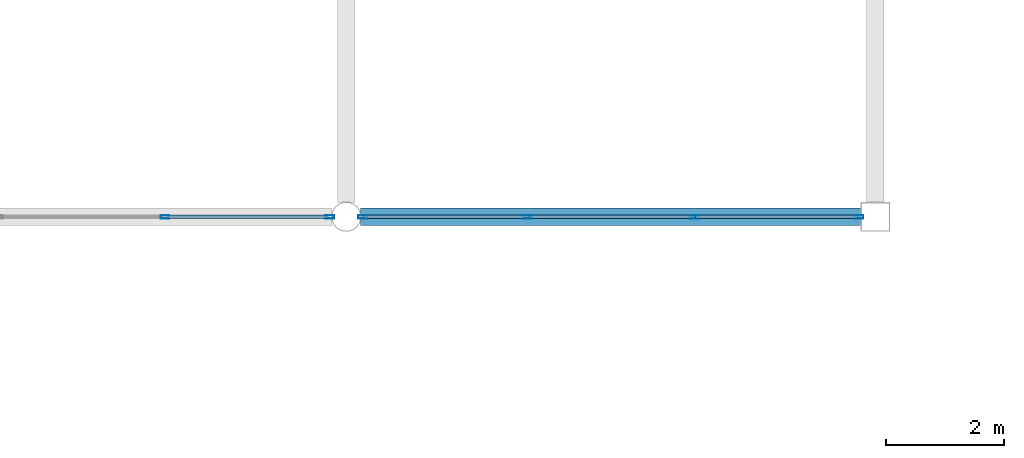
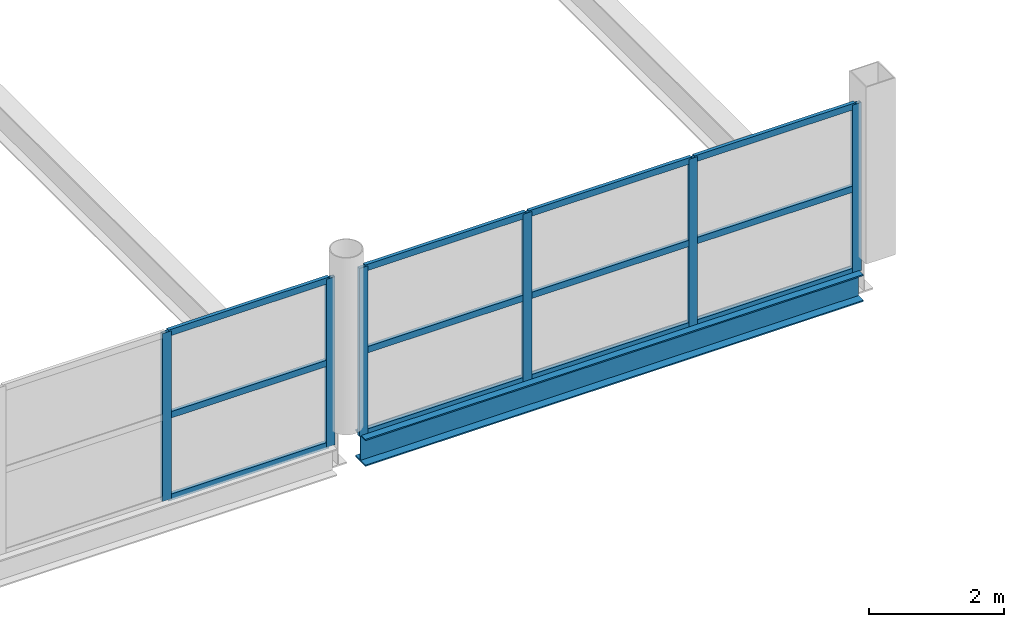
# One storey, part 27 of 134: 18 members, 1 beam, 2 elements without a shape of their own.
"""IFC4 building model written with IfcOpenShell, lengths in metres."""

from ifc_helpers import new_model, si_unit, direction, frame, origin, origin_2d, place, context, subcontext, project, spatial, hollow_rectangle, i_section, extrude, material, layer, layer_set, material_profile, profile_set, type_object, element, aggregate, save


model = new_model("IFC4")

# Units and contexts
model_context = context("Model", 3, precision=1e-05, world=origin(), true_north=direction((0.0, 1.0)))
body_context = subcontext(model_context, "Body", "Model", "MODEL_VIEW")
ifc_project = project(units=[si_unit("LENGTHUNIT", "METRE"), si_unit("AREAUNIT", "SQUARE_METRE"), si_unit("VOLUMEUNIT", "CUBIC_METRE"), si_unit("PLANEANGLEUNIT", "RADIAN"), si_unit("MASSUNIT", "GRAM", prefix="KILO")], contexts=[model_context])

# Site, building, storey
site_placement = place(None, origin())
site = spatial("IfcSite", under=ifc_project, at=site_placement, CompositionType="ELEMENT")
building_placement = place(site_placement, origin())
building = spatial("IfcBuilding", under=site, at=building_placement, Name="Tamarisk Ironworks Central Station", CompositionType="ELEMENT")
storey_placement = place(building_placement, frame((0.0, 0.0, 12.60009765625)))
storey = spatial("IfcBuildingStorey", under=building, at=storey_placement, Name="L02", CompositionType="ELEMENT", Elevation=12.60009765625)

# Beam
ifc_material_1 = material(Name="Structural steel S355J2", Category="steel")
ifc_material_profile_1 = material_profile(ifc_material_1, i_section(OverallWidth=0.300048828125, OverallDepth=0.489990234375, WebThickness=0.011962890625, FlangeThickness=0.02294921875, at=origin_2d()), Name="HEA 500")
ifc_profile_set_1 = profile_set([ifc_material_profile_1], Name="Structural steel S355J2")
beam_type = type_object("IfcBeamType", Name="BM-G05", PredefinedType="BEAM", material=ifc_profile_set_1)
beam_placement = place(storey_placement, frame((36.241943359375, 21.60009765625, -0.4951171875), z_axis=(1.0, 0.0, 0.0), x_axis=(0.0, 1.0, 0.0)))
element("IfcBeam", 1, at=beam_placement, inside=storey, type_object=beam_type, Name="L02 primary girder X-0310", PredefinedType="BEAM", context=body_context, shape_type="SweptSolid", body=[
    extrude(i_section(OverallWidth=0.300048828125, OverallDepth=0.489990234375, WebThickness=0.011962890625, FlangeThickness=0.02294921875, at=origin_2d()), origin(), (0.0, 0.0, 1.0), 8.52001953125),
])

# Curtain wall, members
ifc_material_2 = material(Name="Anodized aluminium alloy 6063-T6", Category="aluminium")
ifc_layer = layer(ifc_material_2, 0.179931640625)
ifc_layer_set = layer_set([ifc_layer], Name="Anodized aluminium alloy 6063-T6")
curtain_wall_type = type_object("IfcCurtainWallType", Name="CW-08", PredefinedType="USERDEFINED", material=ifc_layer_set)
curtain_wall_1_placement = place(storey_placement, origin())
curtain_wall_1 = element("IfcCurtainWall", 2, at=curtain_wall_1_placement, inside=storey, type_object=curtain_wall_type, Name="Train shed WS clerestory curtain wall 027", ObjectType="GLAZED CURTAIN WALL", PredefinedType="USERDEFINED")
ifc_material_profile_2 = material_profile(ifc_material_2, hollow_rectangle(XDim=0.06005859375, YDim=0.14990234375, WallThickness=0.00341796875, at=origin_2d()), Name="ALUM 150x60")
ifc_profile_set_2 = profile_set([ifc_material_profile_2], Name="Anodized aluminium alloy 6063-T6")
member_type_1 = type_object("IfcMemberType", Name="CWM-03", PredefinedType="MULLION", material=ifc_profile_set_2)
member_1_placement = place(storey_placement, frame((32.916015625, 21.60009765625, -0.260009765625), z_axis=(0.0, 0.0, 1.0), x_axis=(0.0, 1.0, 0.0)))
member_1 = element("IfcMember", 3, at=member_1_placement, type_object=member_type_1, Name="CW08 mullion 3", PredefinedType="MULLION", context=body_context, shape_type="SweptSolid", body=[
    extrude(hollow_rectangle(XDim=0.06005859375, YDim=0.14990234375, WallThickness=0.00341796875, at=origin_2d()), origin(), (0.0, 0.0, 1.0), 3.039794921875),
])
member_2_placement = place(storey_placement, frame((35.718017578125, 21.60009765625, -0.260009765625), z_axis=(0.0, 0.0, 1.0), x_axis=(0.0, 1.0, 0.0)))
member_2 = element("IfcMember", 4, at=member_2_placement, type_object=member_type_1, Name="CW08 mullion 4", PredefinedType="MULLION", context=body_context, shape_type="SweptSolid", body=[
    extrude(hollow_rectangle(XDim=0.06005859375, YDim=0.14990234375, WallThickness=0.00341796875, at=origin_2d()), origin(), (0.0, 0.0, 1.0), 3.039794921875),
])

curtain_wall_2_placement = place(storey_placement, origin())
curtain_wall_2 = element("IfcCurtainWall", 5, at=curtain_wall_2_placement, inside=storey, type_object=curtain_wall_type, Name="Train shed WS clerestory curtain wall 036", ObjectType="GLAZED CURTAIN WALL", PredefinedType="USERDEFINED")
member_3_placement = place(storey_placement, frame((36.281982421875, 21.60009765625, -0.260009765625), z_axis=(0.0, 0.0, 1.0), x_axis=(0.0, 1.0, 0.0)))
member_3 = element("IfcMember", 6, at=member_3_placement, type_object=member_type_1, Name="CW08 mullion 1", PredefinedType="MULLION", context=body_context, shape_type="SweptSolid", body=[
    extrude(hollow_rectangle(XDim=0.06005859375, YDim=0.14990234375, WallThickness=0.00341796875, at=origin_2d()), origin(), (0.0, 0.0, 1.0), 3.039794921875),
])
member_4_placement = place(storey_placement, frame((39.08544921875, 21.60009765625, -0.260009765625), z_axis=(0.0, 0.0, 1.0), x_axis=(0.0, 1.0, 0.0)))
member_4 = element("IfcMember", 7, at=member_4_placement, type_object=member_type_1, Name="CW08 mullion 2", PredefinedType="MULLION", context=body_context, shape_type="SweptSolid", body=[
    extrude(hollow_rectangle(XDim=0.06005859375, YDim=0.14990234375, WallThickness=0.00341796875, at=origin_2d()), origin(), (0.0, 0.0, 1.0), 3.039794921875),
])
member_5_placement = place(storey_placement, frame((41.918701171875, 21.60009765625, -0.260009765625), z_axis=(0.0, 0.0, 1.0), x_axis=(0.0, 1.0, 0.0)))
member_5 = element("IfcMember", 8, at=member_5_placement, type_object=member_type_1, Name="CW08 mullion 3", PredefinedType="MULLION", context=body_context, shape_type="SweptSolid", body=[
    extrude(hollow_rectangle(XDim=0.06005859375, YDim=0.14990234375, WallThickness=0.00341796875, at=origin_2d()), origin(), (0.0, 0.0, 1.0), 3.039794921875),
])
member_6_placement = place(storey_placement, frame((44.721923828125, 21.60009765625, -0.260009765625), z_axis=(0.0, 0.0, 1.0), x_axis=(0.0, 1.0, 0.0)))
member_6 = element("IfcMember", 9, at=member_6_placement, type_object=member_type_1, Name="CW08 mullion 4", PredefinedType="MULLION", context=body_context, shape_type="SweptSolid", body=[
    extrude(hollow_rectangle(XDim=0.06005859375, YDim=0.14990234375, WallThickness=0.00341796875, at=origin_2d()), origin(), (0.0, 0.0, 1.0), 3.039794921875),
])

# Member
ifc_material_profile_3 = material_profile(ifc_material_2, hollow_rectangle(XDim=0.06005859375, YDim=0.114990234375, WallThickness=0.00341796875, at=origin_2d()), Name="ALUM 115x60")
ifc_profile_set_3 = profile_set([ifc_material_profile_3], Name="Anodized aluminium alloy 6063-T6")
member_type_2 = type_object("IfcMemberType", Name="CWT-03", PredefinedType="USERDEFINED", material=ifc_profile_set_3)
member_7_placement = place(storey_placement, frame((32.94189453125, 21.60009765625, -0.22998046875), z_axis=(1.0, 0.0, 0.0), x_axis=(0.0, 1.0, 0.0)))
member_7 = element("IfcMember", 10, at=member_7_placement, type_object=member_type_2, Name="CW08 transom 3.1", ObjectType="TRANSOM", PredefinedType="USERDEFINED", context=body_context, shape_type="SweptSolid", body=[
    extrude(hollow_rectangle(XDim=0.06005859375, YDim=0.114990234375, WallThickness=0.00341796875, at=origin_2d()), origin(), (0.0, 0.0, 1.0), 2.75),
])

member_8_placement = place(storey_placement, frame((32.94189453125, 21.60009765625, 1.260009765625), z_axis=(1.0, 0.0, 0.0), x_axis=(0.0, 1.0, 0.0)))
member_8 = element("IfcMember", 11, at=member_8_placement, type_object=member_type_2, Name="CW08 transom 3.2", ObjectType="TRANSOM", PredefinedType="USERDEFINED", context=body_context, shape_type="SweptSolid", body=[
    extrude(hollow_rectangle(XDim=0.06005859375, YDim=0.114990234375, WallThickness=0.00341796875, at=origin_2d()), origin(), (0.0, 0.0, 1.0), 2.75),
])

member_9_placement = place(storey_placement, frame((32.94189453125, 21.60009765625, 2.75), z_axis=(1.0, 0.0, 0.0), x_axis=(0.0, 1.0, 0.0)))
member_9 = element("IfcMember", 12, at=member_9_placement, type_object=member_type_2, Name="CW08 transom 3.3", ObjectType="TRANSOM", PredefinedType="USERDEFINED", context=body_context, shape_type="SweptSolid", body=[
    extrude(hollow_rectangle(XDim=0.06005859375, YDim=0.114990234375, WallThickness=0.00341796875, at=origin_2d()), origin(), (0.0, 0.0, 1.0), 2.75),
])

aggregate(curtain_wall_1, [member_1, member_2, member_7, member_8, member_9])

member_10_placement = place(storey_placement, frame((36.30810546875, 21.60009765625, -0.22998046875), z_axis=(1.0, 0.0, 0.0), x_axis=(0.0, 1.0, 0.0)))
member_10 = element("IfcMember", 13, at=member_10_placement, type_object=member_type_2, Name="CW08 transom 1.1", ObjectType="TRANSOM", PredefinedType="USERDEFINED", context=body_context, shape_type="SweptSolid", body=[
    extrude(hollow_rectangle(XDim=0.06005859375, YDim=0.114990234375, WallThickness=0.00341796875, at=origin_2d()), origin(), (0.0, 0.0, 1.0), 2.751220703125),
])

member_11_placement = place(storey_placement, frame((36.30810546875, 21.60009765625, 1.260009765625), z_axis=(1.0, 0.0, 0.0), x_axis=(0.0, 1.0, 0.0)))
member_11 = element("IfcMember", 14, at=member_11_placement, type_object=member_type_2, Name="CW08 transom 1.2", ObjectType="TRANSOM", PredefinedType="USERDEFINED", context=body_context, shape_type="SweptSolid", body=[
    extrude(hollow_rectangle(XDim=0.06005859375, YDim=0.114990234375, WallThickness=0.00341796875, at=origin_2d()), origin(), (0.0, 0.0, 1.0), 2.751220703125),
])

member_12_placement = place(storey_placement, frame((36.30810546875, 21.60009765625, 2.75), z_axis=(1.0, 0.0, 0.0), x_axis=(0.0, 1.0, 0.0)))
member_12 = element("IfcMember", 15, at=member_12_placement, type_object=member_type_2, Name="CW08 transom 1.3", ObjectType="TRANSOM", PredefinedType="USERDEFINED", context=body_context, shape_type="SweptSolid", body=[
    extrude(hollow_rectangle(XDim=0.06005859375, YDim=0.114990234375, WallThickness=0.00341796875, at=origin_2d()), origin(), (0.0, 0.0, 1.0), 2.751220703125),
])

member_13_placement = place(storey_placement, frame((39.111328125, 21.60009765625, -0.22998046875), z_axis=(1.0, 0.0, 0.0), x_axis=(0.0, 1.0, 0.0)))
member_13 = element("IfcMember", 16, at=member_13_placement, type_object=member_type_2, Name="CW08 transom 2.1", ObjectType="TRANSOM", PredefinedType="USERDEFINED", context=body_context, shape_type="SweptSolid", body=[
    extrude(hollow_rectangle(XDim=0.06005859375, YDim=0.114990234375, WallThickness=0.00341796875, at=origin_2d()), origin(), (0.0, 0.0, 1.0), 2.78125),
])

member_14_placement = place(storey_placement, frame((39.111328125, 21.60009765625, 1.260009765625), z_axis=(1.0, 0.0, 0.0), x_axis=(0.0, 1.0, 0.0)))
member_14 = element("IfcMember", 17, at=member_14_placement, type_object=member_type_2, Name="CW08 transom 2.2", ObjectType="TRANSOM", PredefinedType="USERDEFINED", context=body_context, shape_type="SweptSolid", body=[
    extrude(hollow_rectangle(XDim=0.06005859375, YDim=0.114990234375, WallThickness=0.00341796875, at=origin_2d()), origin(), (0.0, 0.0, 1.0), 2.78125),
])

member_15_placement = place(storey_placement, frame((39.111328125, 21.60009765625, 2.75), z_axis=(1.0, 0.0, 0.0), x_axis=(0.0, 1.0, 0.0)))
member_15 = element("IfcMember", 18, at=member_15_placement, type_object=member_type_2, Name="CW08 transom 2.3", ObjectType="TRANSOM", PredefinedType="USERDEFINED", context=body_context, shape_type="SweptSolid", body=[
    extrude(hollow_rectangle(XDim=0.06005859375, YDim=0.114990234375, WallThickness=0.00341796875, at=origin_2d()), origin(), (0.0, 0.0, 1.0), 2.78125),
])

member_16_placement = place(storey_placement, frame((41.944580078125, 21.60009765625, -0.22998046875), z_axis=(1.0, 0.0, 0.0), x_axis=(0.0, 1.0, 0.0)))
member_16 = element("IfcMember", 19, at=member_16_placement, type_object=member_type_2, Name="CW08 transom 3.1", ObjectType="TRANSOM", PredefinedType="USERDEFINED", context=body_context, shape_type="SweptSolid", body=[
    extrude(hollow_rectangle(XDim=0.06005859375, YDim=0.114990234375, WallThickness=0.00341796875, at=origin_2d()), origin(), (0.0, 0.0, 1.0), 2.75146484375),
])

member_17_placement = place(storey_placement, frame((41.944580078125, 21.60009765625, 1.260009765625), z_axis=(1.0, 0.0, 0.0), x_axis=(0.0, 1.0, 0.0)))
member_17 = element("IfcMember", 20, at=member_17_placement, type_object=member_type_2, Name="CW08 transom 3.2", ObjectType="TRANSOM", PredefinedType="USERDEFINED", context=body_context, shape_type="SweptSolid", body=[
    extrude(hollow_rectangle(XDim=0.06005859375, YDim=0.114990234375, WallThickness=0.00341796875, at=origin_2d()), origin(), (0.0, 0.0, 1.0), 2.75146484375),
])

member_18_placement = place(storey_placement, frame((41.944580078125, 21.60009765625, 2.75), z_axis=(1.0, 0.0, 0.0), x_axis=(0.0, 1.0, 0.0)))
member_18 = element("IfcMember", 21, at=member_18_placement, type_object=member_type_2, Name="CW08 transom 3.3", ObjectType="TRANSOM", PredefinedType="USERDEFINED", context=body_context, shape_type="SweptSolid", body=[
    extrude(hollow_rectangle(XDim=0.06005859375, YDim=0.114990234375, WallThickness=0.00341796875, at=origin_2d()), origin(), (0.0, 0.0, 1.0), 2.75146484375),
])

aggregate(curtain_wall_2, [member_3, member_4, member_5, member_6, member_10, member_11, member_12, member_13, member_14, member_15, member_16, member_17, member_18])

save(model, "model.ifc")
